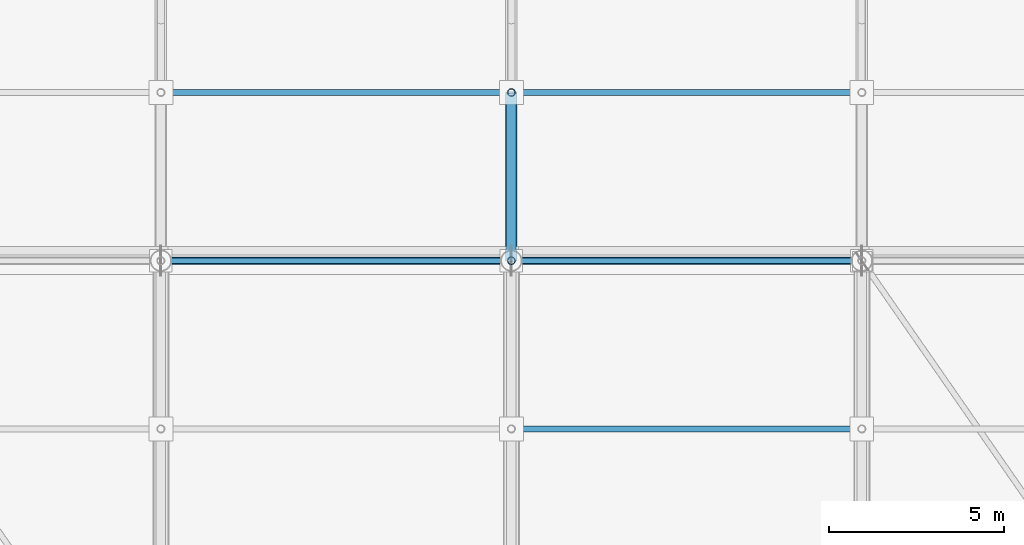
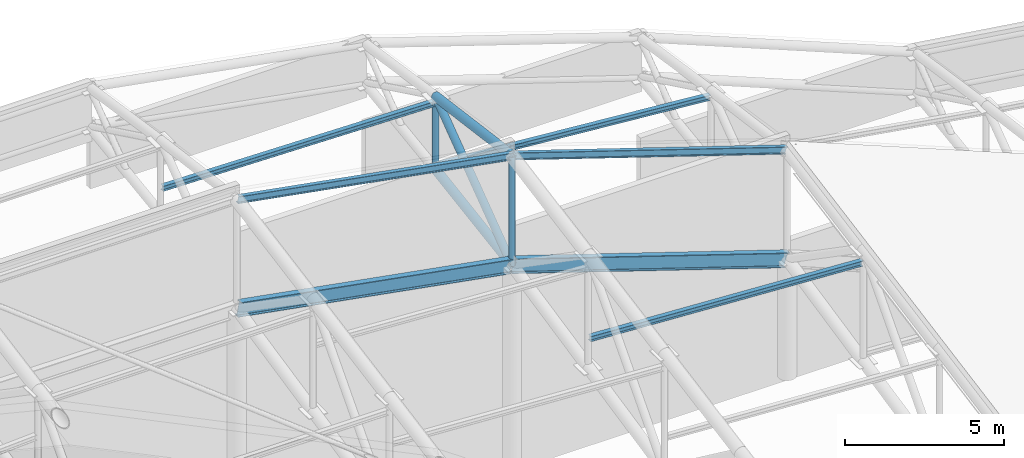
# One storey, part 95 of 146: 8 members, 4 beams.
"""IFC4 building model written with IfcOpenShell, lengths in metres."""

from ifc_helpers import new_model, si_unit, direction, frame, origin, origin_2d, place, context, subcontext, project, spatial, hollow_circle, i_section, extrude, material, material_profile, profile_set, type_object, element, save


model = new_model("IFC4")

# Units and contexts
model_context = context("Model", 3, precision=1e-05, world=origin(), true_north=direction((0.0, 1.0)))
body_context = subcontext(model_context, "Body", "Model", "MODEL_VIEW")
ifc_project = project(units=[si_unit("LENGTHUNIT", "METRE"), si_unit("AREAUNIT", "SQUARE_METRE"), si_unit("VOLUMEUNIT", "CUBIC_METRE"), si_unit("PLANEANGLEUNIT", "RADIAN"), si_unit("MASSUNIT", "GRAM", prefix="KILO")], contexts=[model_context])

# Site, building, storey
site_placement = place(None, origin())
site = spatial("IfcSite", under=ifc_project, at=site_placement, CompositionType="ELEMENT")
building_placement = place(site_placement, origin())
building = spatial("IfcBuilding", under=site, at=building_placement, Name="Candeia Ridge Stadium", CompositionType="ELEMENT")
storey_placement = place(building_placement, frame((0.0, 0.0, 31.800048828125)))
storey = spatial("IfcBuildingStorey", under=building, at=storey_placement, Name="RF", CompositionType="ELEMENT", Elevation=31.800048828125)

# Beams
ifc_material = material(Name="Steel ASTM A572 Grade 50", Category="steel")
ifc_material_profile_1 = material_profile(ifc_material, i_section(OverallWidth=0.14794921875, OverallDepth=0.26611328125, WebThickness=0.007568359375, FlangeThickness=0.012939453125, FilletRadius=0.010986328125, at=origin_2d()), Name="W250x44.8", Category="steel")
ifc_profile_set_1 = profile_set([ifc_material_profile_1], Name="Steel ASTM A572 Grade 50")
beam_type_1 = type_object("IfcBeamType", Name="Canopy Edge Spandrel W250x44.8", PredefinedType="SPANDREL", material=ifc_profile_set_1)
beam_1_placement = place(storey_placement, frame((130.9619140625, 147.0, 8.69091796875), z_axis=(-0.950452285368, 0.0, 0.310870476628), x_axis=(0.0, -1.0, 0.0)))
element("IfcBeam", 1, at=beam_1_placement, inside=storey, type_object=beam_type_1, Name="Roof crown cap ring beam bay 02", PredefinedType="SPANDREL", context=body_context, shape_type="SweptSolid", body=[
    extrude(i_section(OverallWidth=0.14794921875, OverallDepth=0.26611328125, WebThickness=0.007568359375, FlangeThickness=0.012939453125, FilletRadius=0.010986328125, at=origin_2d()), origin(), (0.0, 0.0, 1.0), 10.441162109375),
])
beam_2_placement = place(storey_placement, frame((120.960693359375, 147.0, 11.956298828125), z_axis=(-0.983924099588, 0.0, 0.178587139095), x_axis=(0.0, -1.0, 0.0)))
element("IfcBeam", 2, at=beam_2_placement, inside=storey, type_object=beam_type_1, Name="Roof crown cap ring beam bay 03", PredefinedType="SPANDREL", context=body_context, shape_type="SweptSolid", body=[
    extrude(i_section(OverallWidth=0.14794921875, OverallDepth=0.26611328125, WebThickness=0.007568359375, FlangeThickness=0.012939453125, FilletRadius=0.010986328125, at=origin_2d()), origin(), (0.0, 0.0, 1.0), 10.08349609375),
])
ifc_material_profile_2 = material_profile(ifc_material, i_section(OverallWidth=0.2119140625, OverallDepth=0.5439453125, WebThickness=0.01318359375, FlangeThickness=0.021240234375, FilletRadius=0.013916015625, at=origin_2d()), Name="W530x123", Category="steel")
ifc_profile_set_2 = profile_set([ifc_material_profile_2], Name="Steel ASTM A572 Grade 50")
beam_type_2 = type_object("IfcBeamType", Name="Roof Perimeter Ring Beam W530x123", PredefinedType="BEAM", material=ifc_profile_set_2)
beam_3_placement = place(storey_placement, frame((130.9619140625, 147.0, 4.490966796875), z_axis=(-0.950452285368, 0.0, 0.310870476628), x_axis=(0.0, -1.0, 0.0)))
element("IfcBeam", 3, at=beam_3_placement, inside=storey, type_object=beam_type_2, Name="Roof perimeter ring beam bay 02", PredefinedType="BEAM", context=body_context, shape_type="SweptSolid", body=[
    extrude(i_section(OverallWidth=0.2119140625, OverallDepth=0.5439453125, WebThickness=0.01318359375, FlangeThickness=0.021240234375, FilletRadius=0.013916015625, at=origin_2d()), origin(), (0.0, 0.0, 1.0), 10.441162109375),
])
beam_4_placement = place(storey_placement, frame((120.960693359375, 147.0, 7.75634765625), z_axis=(-0.983924099588, 0.0, 0.178587139095), x_axis=(0.0, -1.0, 0.0)))
element("IfcBeam", 4, at=beam_4_placement, inside=storey, type_object=beam_type_2, Name="Roof perimeter ring beam bay 03", PredefinedType="BEAM", context=body_context, shape_type="SweptSolid", body=[
    extrude(i_section(OverallWidth=0.2119140625, OverallDepth=0.5439453125, WebThickness=0.01318359375, FlangeThickness=0.021240234375, FilletRadius=0.013916015625, at=origin_2d()), origin(), (0.0, 0.0, 1.0), 10.08349609375),
])

# Members
ifc_material_profile_3 = material_profile(ifc_material, i_section(OverallWidth=0.1650390625, OverallDepth=0.200927734375, WebThickness=0.006103515625, FlangeThickness=0.01025390625, FilletRadius=0.010009765625, at=origin_2d()), Name="W200x35.9", Category="steel")
ifc_profile_set_3 = profile_set([ifc_material_profile_3], Name="Steel ASTM A572 Grade 50")
member_type_1 = type_object("IfcMemberType", Name="Roof Purlin W200x35.9", PredefinedType="PURLIN", material=ifc_profile_set_3)
member_1_placement = place(storey_placement, frame((130.9501953125, 142.199951171875, 7.273193359375), z_axis=(-0.998435557369, 0.0, 0.055914557871), x_axis=(0.0, -1.0, 0.0)))
element("IfcMember", 5, at=member_1_placement, inside=storey, type_object=member_type_1, Name="Saddle roof steel purlin bay 02-4", PredefinedType="PURLIN", context=body_context, shape_type="SweptSolid", body=[
    extrude(i_section(OverallWidth=0.1650390625, OverallDepth=0.200927734375, WebThickness=0.006103515625, FlangeThickness=0.01025390625, FilletRadius=0.010009765625, at=origin_2d()), origin(), (0.0, 0.0, 1.0), 9.916015625),
])
member_2_placement = place(storey_placement, frame((130.9501953125, 151.800048828125, 7.821044921875), z_axis=(-0.996621274205, 0.0, 0.082134254744), x_axis=(0.0, -1.0, 0.0)))
element("IfcMember", 6, at=member_2_placement, inside=storey, type_object=member_type_1, Name="Saddle roof steel purlin bay 02-5", PredefinedType="PURLIN", context=body_context, shape_type="SweptSolid", body=[
    extrude(i_section(OverallWidth=0.1650390625, OverallDepth=0.200927734375, WebThickness=0.006103515625, FlangeThickness=0.01025390625, FilletRadius=0.010009765625, at=origin_2d()), origin(), (0.0, 0.0, 1.0), 9.933837890625),
])
member_3_placement = place(storey_placement, frame((120.949951171875, 151.800048828125, 11.088623046875), z_axis=(-0.999812193326, 0.0, 0.019379836842), x_axis=(0.0, -1.0, 0.0)))
element("IfcMember", 7, at=member_3_placement, inside=storey, type_object=member_type_1, Name="Saddle roof steel purlin bay 03-5", PredefinedType="PURLIN", context=body_context, shape_type="SweptSolid", body=[
    extrude(i_section(OverallWidth=0.1650390625, OverallDepth=0.200927734375, WebThickness=0.006103515625, FlangeThickness=0.01025390625, FilletRadius=0.010009765625, at=origin_2d()), origin(), (0.0, 0.0, 1.0), 9.90185546875),
])
ifc_material_profile_4 = material_profile(ifc_material, hollow_circle(Radius=0.161865234375, WallThickness=0.012451171875, at=origin_2d()), Name="CHS323x12", Category="steel")
ifc_profile_set_4 = profile_set([ifc_material_profile_4], Name="Steel ASTM A572 Grade 50")
member_type_2 = type_object("IfcMemberType", Name="Roof Truss Eaves Chord CHS323x12", PredefinedType="CHORD", material=ifc_profile_set_4)
member_4_placement = place(storey_placement, frame((121.0, 147.0, 11.94921875), z_axis=(0.0, 0.991184698971, -0.132487329683), x_axis=(-1.0, 0.0, 0.0)))
element("IfcMember", 8, at=member_4_placement, inside=storey, type_object=member_type_2, Name="Roof cantilever truss RT-03 top chord 7", PredefinedType="CHORD", context=body_context, shape_type="SweptSolid", body=[
    extrude(hollow_circle(Radius=0.161865234375, WallThickness=0.012451171875, at=origin_2d()), origin(), (0.0, 0.0, 1.0), 4.8427734375),
])
member_5_placement = place(storey_placement, frame((121.0, 147.0, 7.749267578125), z_axis=(0.0, 0.987958563397, 0.154718702848), x_axis=(-1.0, 0.0, 0.0)))
element("IfcMember", 9, at=member_5_placement, inside=storey, type_object=member_type_2, Name="Roof cantilever truss RT-03 bottom chord 7", PredefinedType="CHORD", context=body_context, shape_type="SweptSolid", body=[
    extrude(hollow_circle(Radius=0.161865234375, WallThickness=0.012451171875, at=origin_2d()), origin(), (0.0, 0.0, 1.0), 4.858642578125),
])
ifc_material_profile_5 = material_profile(ifc_material, hollow_circle(Radius=0.136474609375, WallThickness=0.010009765625, at=origin_2d()), Name="CHS273x10", Category="steel")
ifc_profile_set_5 = profile_set([ifc_material_profile_5], Name="Steel ASTM A572 Grade 50")
member_type_3 = type_object("IfcMemberType", Name="Roof Truss Heavy Web Brace CHS273x10", PredefinedType="BRACE", material=ifc_profile_set_5)
member_6_placement = place(storey_placement, frame((121.0, 147.0, 7.749267578125), z_axis=(0.0, 0.803336374347, 0.595525540721), x_axis=(-1.0, 0.0, 0.0)))
element("IfcMember", 10, at=member_6_placement, inside=storey, type_object=member_type_3, Name="Roof cantilever truss RT-03 diagonal web 7", PredefinedType="BRACE", context=body_context, shape_type="SweptSolid", body=[
    extrude(hollow_circle(Radius=0.136474609375, WallThickness=0.010009765625, at=origin_2d()), origin(), (0.0, 0.0, 1.0), 5.97509765625),
])
ifc_material_profile_6 = material_profile(ifc_material, hollow_circle(Radius=0.109619140625, WallThickness=0.010009765625, at=origin_2d()), Name="CHS219x10", Category="steel")
ifc_profile_set_6 = profile_set([ifc_material_profile_6], Name="Steel ASTM A572 Grade 50")
member_type_4 = type_object("IfcMemberType", Name="Roof Truss Inner Web Brace CHS219x10", PredefinedType="BRACE", material=ifc_profile_set_6)
member_7_placement = place(storey_placement, frame((121.0, 147.0, 7.749267578125), z_axis=(0.0, 0.0, 1.0), x_axis=(1.0, 0.0, 0.0)))
element("IfcMember", 11, at=member_7_placement, inside=storey, type_object=member_type_4, Name="Roof cantilever truss RT-03 vertical post 6", PredefinedType="BRACE", context=body_context, shape_type="SweptSolid", body=[
    extrude(hollow_circle(Radius=0.109619140625, WallThickness=0.010009765625, at=origin_2d()), origin(), (0.0, 0.0, 1.0), 4.199951171875),
])
member_8_placement = place(storey_placement, frame((121.0, 151.800048828125, 8.5009765625), z_axis=(0.0, 0.0, 1.0), x_axis=(1.0, 0.0, 0.0)))
element("IfcMember", 12, at=member_8_placement, inside=storey, type_object=member_type_4, Name="Roof cantilever truss RT-03 vertical post 7", PredefinedType="BRACE", context=body_context, shape_type="SweptSolid", body=[
    extrude(hollow_circle(Radius=0.109619140625, WallThickness=0.010009765625, at=origin_2d()), origin(), (0.0, 0.0, 1.0), 2.806640625),
])

save(model, "model.ifc")
